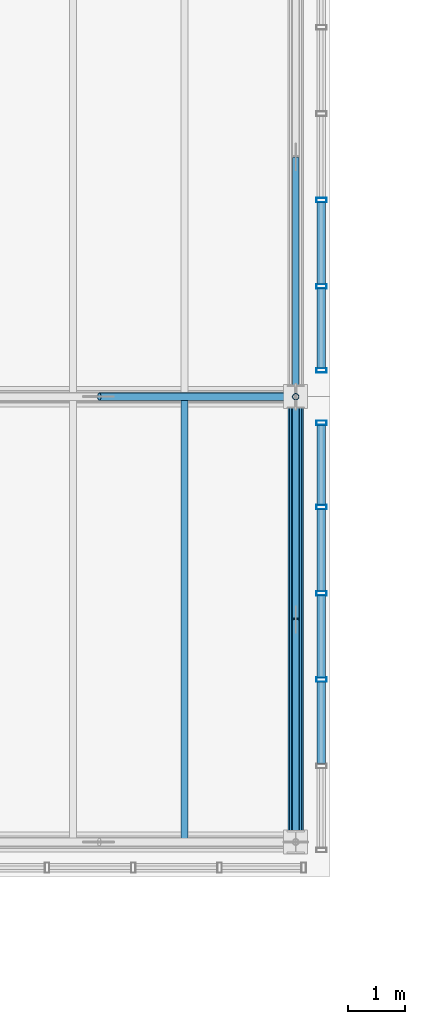
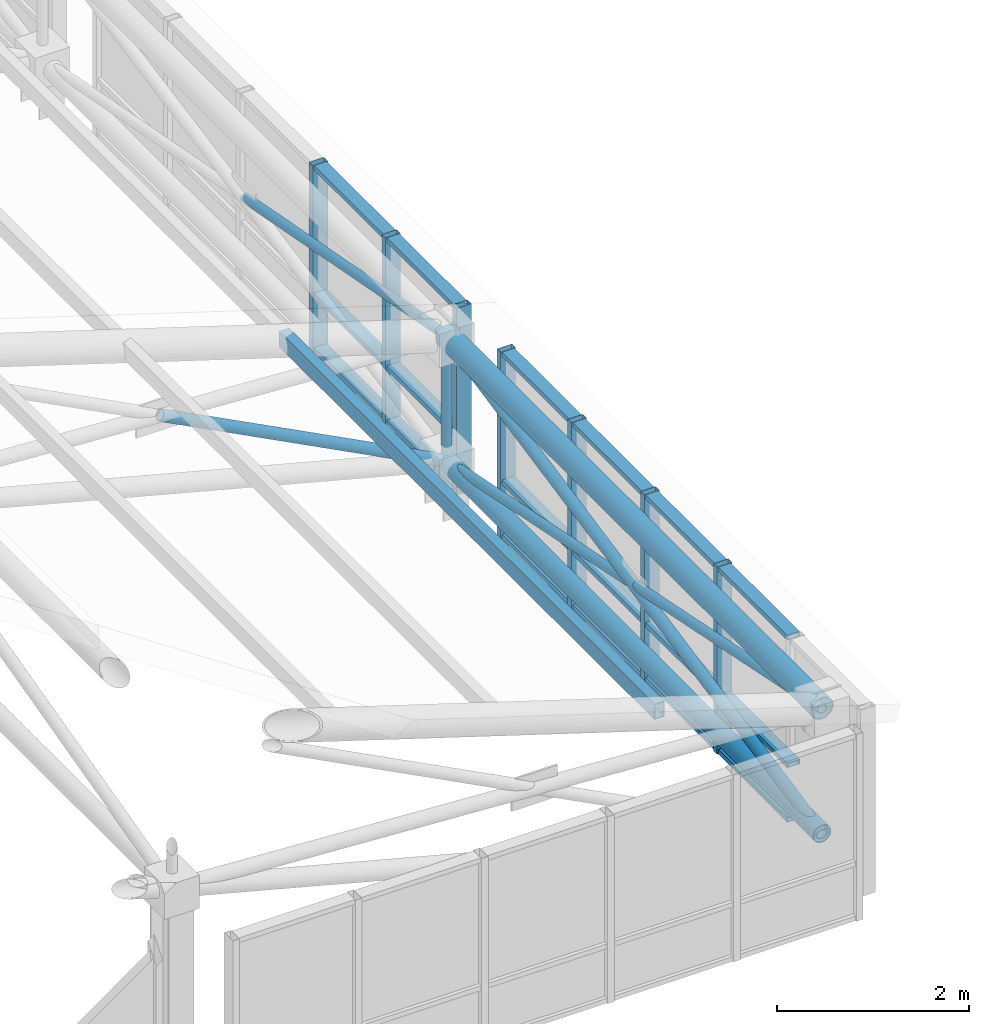
# One storey, part 87 of 144: 34 members, 2 elements without a shape of their own.
"""IFC4 building model written with IfcOpenShell, lengths in metres."""

from ifc_helpers import new_model, si_unit, direction, frame, origin, origin_2d, place, context, subcontext, project, spatial, hollow_rectangle, hollow_circle, extrude, material, layer, layer_set, material_profile, profile_set, type_object, element, aggregate, save


model = new_model("IFC4")

# Units and contexts
model_context = context("Model", 3, precision=1e-05, world=origin(), true_north=direction((0.0, 1.0)))
body_context = subcontext(model_context, "Body", "Model", "MODEL_VIEW")
ifc_project = project(units=[si_unit("LENGTHUNIT", "METRE"), si_unit("AREAUNIT", "SQUARE_METRE"), si_unit("VOLUMEUNIT", "CUBIC_METRE"), si_unit("PLANEANGLEUNIT", "RADIAN"), si_unit("MASSUNIT", "GRAM", prefix="KILO")], contexts=[model_context])

# Site, building, storey
site_placement = place(None, origin())
site = spatial("IfcSite", under=ifc_project, at=site_placement, CompositionType="ELEMENT")
building_placement = place(site_placement, origin())
building = spatial("IfcBuilding", under=site, at=building_placement, Name="Zayran Congress Hotel", CompositionType="ELEMENT")
storey_placement = place(building_placement, frame((0.0, 0.0, 19.199951171875)))
storey = spatial("IfcBuildingStorey", under=building, at=storey_placement, Name="L04", CompositionType="ELEMENT", Elevation=19.199951171875)

# Members
ifc_material_1 = material(Name="Steel S355", Category="steel")
ifc_material_profile_1 = material_profile(ifc_material_1, hollow_circle(Radius=0.136474609375, WallThickness=0.012451171875, at=origin_2d()), Name="CHS 273x12.5")
ifc_profile_set_1 = profile_set([ifc_material_profile_1], Name="Steel S355")
member_type_1 = type_object("IfcMemberType", Name="TP-SF-TC2", PredefinedType="CHORD", material=ifc_profile_set_1)
member_1_placement = place(storey_placement, frame((91.800048828125, 68.199951171875, 2.19140625), z_axis=(0.0, 1.0, 0.0), x_axis=(-1.0, 0.0, 0.0)))
element("IfcMember", 1, at=member_1_placement, inside=storey, type_object=member_type_1, Name="Space Frame Top Chord Y 543", PredefinedType="CHORD", context=body_context, shape_type="SweptSolid", body=[
    extrude(hollow_circle(Radius=0.136474609375, WallThickness=0.012451171875, at=origin_2d()), origin(), (0.0, 0.0, 1.0), 7.800048828125),
])
ifc_material_profile_2 = material_profile(ifc_material_1, hollow_circle(Radius=0.109619140625, WallThickness=0.010009765625, at=origin_2d()), Name="CHS 219.1x10")
ifc_profile_set_2 = profile_set([ifc_material_profile_2], Name="Steel S355")
member_type_2 = type_object("IfcMemberType", Name="TP-SF-BC1", PredefinedType="CHORD", material=ifc_profile_set_2)
member_2_placement = place(storey_placement, frame((91.800048828125, 68.199951171875, 0.60009765625), z_axis=(0.0, 1.0, 0.0), x_axis=(-1.0, 0.0, 0.0)))
element("IfcMember", 2, at=member_2_placement, inside=storey, type_object=member_type_2, Name="Space Frame Bottom Chord Y 544", PredefinedType="CHORD", context=body_context, shape_type="SweptSolid", body=[
    extrude(hollow_circle(Radius=0.109619140625, WallThickness=0.010009765625, at=origin_2d()), origin(), (0.0, 0.0, 1.0), 7.800048828125),
])
ifc_material_profile_3 = material_profile(ifc_material_1, hollow_circle(Radius=0.06982421875, WallThickness=0.00634765625, at=origin_2d()), Name="CHS 139.7x6.3")
ifc_profile_set_3 = profile_set([ifc_material_profile_3], Name="Steel S355")
member_type_3 = type_object("IfcMemberType", Name="TP-SF-DG2", PredefinedType="BRACE", material=ifc_profile_set_3)
member_3_placement = place(storey_placement, frame((88.359130859375, 76.0, 2.387451171875), z_axis=(0.887419803116, 0.0, -0.4609621384), x_axis=(0.0, 1.0, 0.0)))
element("IfcMember", 3, at=member_3_placement, inside=storey, type_object=member_type_3, Name="Space Frame Counter Diagonal X Lower 77", PredefinedType="BRACE", context=body_context, shape_type="SweptSolid", body=[
    extrude(hollow_circle(Radius=0.06982421875, WallThickness=0.00634765625, at=origin_2d()), origin(), (0.0, 0.0, 1.0), 3.87744140625),
])
member_4_placement = place(storey_placement, frame((91.800048828125, 68.199951171875, 0.60009765625), z_axis=(0.0, 0.979817299983, 0.199895119136), x_axis=(-1.0, 0.0, 0.0)))
element("IfcMember", 4, at=member_4_placement, inside=storey, type_object=member_type_3, Name="Space Frame Web Diagonal Y 545", PredefinedType="BRACE", context=body_context, shape_type="SweptSolid", body=[
    extrude(hollow_circle(Radius=0.06982421875, WallThickness=0.00634765625, at=origin_2d()), origin(), (0.0, 0.0, 1.0), 7.960693359375),
])
ifc_material_profile_4 = material_profile(ifc_material_1, hollow_circle(Radius=0.05712890625, WallThickness=0.00634765625, at=origin_2d()), Name="CHS 114.3x6.3")
ifc_profile_set_4 = profile_set([ifc_material_profile_4], Name="Steel S355")
member_type_4 = type_object("IfcMemberType", Name="TP-SF-DG3", PredefinedType="BRACE", material=ifc_profile_set_4)
for number, where, z_axis, x_axis, name in (
    (5, (91.800048828125, 68.199951171875, 2.19140625), (0.0, 0.979813166371, -0.199915379616), (-1.0, 0.0, 0.0), "Space Frame Bracing Diagonal Y Upper 546"),
    (6, (91.800048828125, 72.11474609375, 1.392822265625), (0.0, 0.979813166371, -0.199915379616), (-1.0, 0.0, 0.0), "Space Frame Bracing Diagonal Y Lower 83"),
):
    element("IfcMember", number, at=place(storey_placement, frame(where, z_axis=z_axis, x_axis=x_axis)), inside=storey, type_object=member_type_4, Name=name, PredefinedType="BRACE", context=body_context, shape_type="SweptSolid", body=[
        extrude(hollow_circle(Radius=0.05712890625, WallThickness=0.00634765625, at=origin_2d()), origin(), (0.0, 0.0, 1.0), 3.96533203125),
    ])
member_5_placement = place(storey_placement, frame((91.800048828125, 76.0, 2.19140625), z_axis=(0.0, 0.982520698357, -0.186153370371), x_axis=(-1.0, 0.0, 0.0)))
element("IfcMember", 7, at=member_5_placement, inside=storey, type_object=member_type_4, Name="Space Frame Bracing Diagonal Y Upper 551", PredefinedType="BRACE", context=body_context, shape_type="SweptSolid", body=[
    extrude(hollow_circle(Radius=0.05712890625, WallThickness=0.00634765625, at=origin_2d()), origin(), (0.0, 0.0, 1.0), 4.259765625),
])
member_6_placement = place(storey_placement, frame((91.800048828125, 76.0, 0.60009765625), z_axis=(0.0, 0.0, 1.0), x_axis=(0.0, 1.0, 0.0)))
element("IfcMember", 8, at=member_6_placement, inside=storey, type_object=member_type_4, Name="Space Frame Web Strut 552", PredefinedType="BRACE", context=body_context, shape_type="SweptSolid", body=[
    extrude(hollow_circle(Radius=0.05712890625, WallThickness=0.00634765625, at=origin_2d()), origin(), (0.0, 0.0, 1.0), 1.59130859375),
])
ifc_material_profile_5 = material_profile(ifc_material_1, hollow_rectangle(XDim=0.1201171875, YDim=0.199951171875, WallThickness=0.008056640625, at=origin_2d()), Name="RHS 200x120x8")
ifc_profile_set_5 = profile_set([ifc_material_profile_5], Name="Steel S355")
member_type_5 = type_object("IfcMemberType", Name="TP-PR-01", PredefinedType="PURLIN", material=ifc_profile_set_5)
member_7_placement = place(storey_placement, frame((89.85009765625, 68.199951171875, 2.8486328125), z_axis=(0.0, 1.0, 0.0), x_axis=(-1.0, 0.0, 0.0)))
element("IfcMember", 9, at=member_7_placement, inside=storey, type_object=member_type_5, Name="MEM-PR-V1-0175", PredefinedType="PURLIN", context=body_context, shape_type="SweptSolid", body=[
    extrude(hollow_rectangle(XDim=0.1201171875, YDim=0.199951171875, WallThickness=0.008056640625, at=origin_2d()), origin(), (0.0, 0.0, 1.0), 7.800048828125),
])

# Curtain wall, members
ifc_material_2 = material(Name="Anodised aluminium and low-E insulated glass", Category="aluminium")
ifc_layer = layer(ifc_material_2, 0.179931640625)
ifc_layer_set = layer_set([ifc_layer], Name="Anodised aluminium and low-E insulated glass")
curtain_wall_type = type_object("IfcCurtainWallType", Name="CW-V1CL-L04-CW-41-7560-2370", PredefinedType="USERDEFINED", material=ifc_layer_set)
curtain_wall_1_placement = place(storey_placement, origin())
curtain_wall_1 = element("IfcCurtainWall", 10, at=curtain_wall_1_placement, inside=storey, type_object=curtain_wall_type, Name="CW-V1CLE-0", ObjectType="CURTAIN WALL", PredefinedType="USERDEFINED")
ifc_material_3 = material(Name="Anodised aluminium framing", Category="aluminium")
ifc_material_profile_6 = material_profile(ifc_material_3, hollow_rectangle(XDim=0.080078125, YDim=0.179931640625, WallThickness=0.0048828125, at=origin_2d()), Name="RHS 180x80x5")
ifc_profile_set_6 = profile_set([ifc_material_profile_6], Name="Anodised aluminium framing")
member_type_6 = type_object("IfcMemberType", Name="TP-CWM-01", PredefinedType="MULLION", material=ifc_profile_set_6)
member_8_placement = place(storey_placement, frame((92.25, 71.0439453125, -0.219970703125), z_axis=(0.0, 0.0, 1.0), x_axis=(0.0, 1.0, 0.0)))
member_8 = element("IfcMember", 11, at=member_8_placement, type_object=member_type_6, Name="CW-V1CLE-0-M02", PredefinedType="MULLION", context=body_context, shape_type="SweptSolid", body=[
    extrude(hollow_rectangle(XDim=0.080078125, YDim=0.179931640625, WallThickness=0.0048828125, at=origin_2d()), origin(), (0.0, 0.0, 1.0), 2.3701171875),
])
member_9_placement = place(storey_placement, frame((92.25, 72.555908203125, -0.219970703125), z_axis=(0.0, 0.0, 1.0), x_axis=(0.0, 1.0, 0.0)))
member_9 = element("IfcMember", 12, at=member_9_placement, type_object=member_type_6, Name="CW-V1CLE-0-M03", PredefinedType="MULLION", context=body_context, shape_type="SweptSolid", body=[
    extrude(hollow_rectangle(XDim=0.080078125, YDim=0.179931640625, WallThickness=0.0048828125, at=origin_2d()), origin(), (0.0, 0.0, 1.0), 2.3701171875),
])
member_10_placement = place(storey_placement, frame((92.25, 74.068115234375, -0.219970703125), z_axis=(0.0, 0.0, 1.0), x_axis=(0.0, 1.0, 0.0)))
member_10 = element("IfcMember", 13, at=member_10_placement, type_object=member_type_6, Name="CW-V1CLE-0-M04", PredefinedType="MULLION", context=body_context, shape_type="SweptSolid", body=[
    extrude(hollow_rectangle(XDim=0.080078125, YDim=0.179931640625, WallThickness=0.0048828125, at=origin_2d()), origin(), (0.0, 0.0, 1.0), 2.3701171875),
])
member_11_placement = place(storey_placement, frame((92.25, 75.5400390625, -0.219970703125), z_axis=(0.0, 0.0, 1.0), x_axis=(0.0, 1.0, 0.0)))
member_11 = element("IfcMember", 14, at=member_11_placement, type_object=member_type_6, Name="CW-V1CLE-0-M05", PredefinedType="MULLION", context=body_context, shape_type="SweptSolid", body=[
    extrude(hollow_rectangle(XDim=0.080078125, YDim=0.179931640625, WallThickness=0.0048828125, at=origin_2d()), origin(), (0.0, 0.0, 1.0), 2.3701171875),
])

curtain_wall_2_placement = place(storey_placement, origin())
curtain_wall_2 = element("IfcCurtainWall", 15, at=curtain_wall_2_placement, inside=storey, type_object=curtain_wall_type, Name="CW-V1CLE-1", ObjectType="CURTAIN WALL", PredefinedType="USERDEFINED")
member_12_placement = place(storey_placement, frame((92.25, 76.4599609375, -0.219970703125), z_axis=(0.0, 0.0, 1.0), x_axis=(0.0, 1.0, 0.0)))
member_12 = element("IfcMember", 16, at=member_12_placement, type_object=member_type_6, Name="CW-V1CLE-1-M00", PredefinedType="MULLION", context=body_context, shape_type="SweptSolid", body=[
    extrude(hollow_rectangle(XDim=0.080078125, YDim=0.179931640625, WallThickness=0.0048828125, at=origin_2d()), origin(), (0.0, 0.0, 1.0), 2.3701171875),
])
member_13_placement = place(storey_placement, frame((92.25, 77.931884765625, -0.219970703125), z_axis=(0.0, 0.0, 1.0), x_axis=(0.0, 1.0, 0.0)))
member_13 = element("IfcMember", 17, at=member_13_placement, type_object=member_type_6, Name="CW-V1CLE-1-M01", PredefinedType="MULLION", context=body_context, shape_type="SweptSolid", body=[
    extrude(hollow_rectangle(XDim=0.080078125, YDim=0.179931640625, WallThickness=0.0048828125, at=origin_2d()), origin(), (0.0, 0.0, 1.0), 2.3701171875),
])
member_14_placement = place(storey_placement, frame((92.25, 79.444091796875, -0.219970703125), z_axis=(0.0, 0.0, 1.0), x_axis=(0.0, 1.0, 0.0)))
member_14 = element("IfcMember", 18, at=member_14_placement, type_object=member_type_6, Name="CW-V1CLE-1-M02", PredefinedType="MULLION", context=body_context, shape_type="SweptSolid", body=[
    extrude(hollow_rectangle(XDim=0.080078125, YDim=0.179931640625, WallThickness=0.0048828125, at=origin_2d()), origin(), (0.0, 0.0, 1.0), 2.3701171875),
])

# Member
ifc_material_profile_7 = material_profile(ifc_material_3, hollow_rectangle(XDim=0.06005859375, YDim=0.14990234375, WallThickness=0.00390625, at=origin_2d()), Name="RHS 150x60x4")
ifc_profile_set_7 = profile_set([ifc_material_profile_7], Name="Anodised aluminium framing")
member_type_7 = type_object("IfcMemberType", Name="TP-CWT-01", PredefinedType="USERDEFINED", material=ifc_profile_set_7)
member_15_placement = place(storey_placement, frame((92.25, 69.572021484375, -0.18994140625), z_axis=(0.0, 1.0, 0.0), x_axis=(0.0, 0.0, 1.0)))
member_15 = element("IfcMember", 19, at=member_15_placement, type_object=member_type_7, Name="CW-V1CLE-0-T01-0", ObjectType="TRANSOM", PredefinedType="USERDEFINED", context=body_context, shape_type="SweptSolid", body=[
    extrude(hollow_rectangle(XDim=0.06005859375, YDim=0.14990234375, WallThickness=0.00390625, at=origin_2d()), origin(), (0.0, 0.0, 1.0), 1.431884765625),
])

member_16_placement = place(storey_placement, frame((92.25, 69.572021484375, 0.5), z_axis=(0.0, 1.0, 0.0), x_axis=(0.0, 0.0, 1.0)))
member_16 = element("IfcMember", 20, at=member_16_placement, type_object=member_type_7, Name="CW-V1CLE-0-T01-1", ObjectType="TRANSOM", PredefinedType="USERDEFINED", context=body_context, shape_type="SweptSolid", body=[
    extrude(hollow_rectangle(XDim=0.06005859375, YDim=0.14990234375, WallThickness=0.00390625, at=origin_2d()), origin(), (0.0, 0.0, 1.0), 1.431884765625),
])

member_17_placement = place(storey_placement, frame((92.25, 69.572021484375, 2.1201171875), z_axis=(0.0, 1.0, 0.0), x_axis=(0.0, 0.0, 1.0)))
member_17 = element("IfcMember", 21, at=member_17_placement, type_object=member_type_7, Name="CW-V1CLE-0-T01-2", ObjectType="TRANSOM", PredefinedType="USERDEFINED", context=body_context, shape_type="SweptSolid", body=[
    extrude(hollow_rectangle(XDim=0.06005859375, YDim=0.14990234375, WallThickness=0.00390625, at=origin_2d()), origin(), (0.0, 0.0, 1.0), 1.431884765625),
])

member_18_placement = place(storey_placement, frame((92.25, 71.083984375, -0.18994140625), z_axis=(0.0, 1.0, 0.0), x_axis=(0.0, 0.0, 1.0)))
member_18 = element("IfcMember", 22, at=member_18_placement, type_object=member_type_7, Name="CW-V1CLE-0-T02-0", ObjectType="TRANSOM", PredefinedType="USERDEFINED", context=body_context, shape_type="SweptSolid", body=[
    extrude(hollow_rectangle(XDim=0.06005859375, YDim=0.14990234375, WallThickness=0.00390625, at=origin_2d()), origin(), (0.0, 0.0, 1.0), 1.43212890625),
])

member_19_placement = place(storey_placement, frame((92.25, 71.083984375, 0.5), z_axis=(0.0, 1.0, 0.0), x_axis=(0.0, 0.0, 1.0)))
member_19 = element("IfcMember", 23, at=member_19_placement, type_object=member_type_7, Name="CW-V1CLE-0-T02-1", ObjectType="TRANSOM", PredefinedType="USERDEFINED", context=body_context, shape_type="SweptSolid", body=[
    extrude(hollow_rectangle(XDim=0.06005859375, YDim=0.14990234375, WallThickness=0.00390625, at=origin_2d()), origin(), (0.0, 0.0, 1.0), 1.43212890625),
])

member_20_placement = place(storey_placement, frame((92.25, 71.083984375, 2.1201171875), z_axis=(0.0, 1.0, 0.0), x_axis=(0.0, 0.0, 1.0)))
member_20 = element("IfcMember", 24, at=member_20_placement, type_object=member_type_7, Name="CW-V1CLE-0-T02-2", ObjectType="TRANSOM", PredefinedType="USERDEFINED", context=body_context, shape_type="SweptSolid", body=[
    extrude(hollow_rectangle(XDim=0.06005859375, YDim=0.14990234375, WallThickness=0.00390625, at=origin_2d()), origin(), (0.0, 0.0, 1.0), 1.43212890625),
])

member_21_placement = place(storey_placement, frame((92.25, 72.595947265625, -0.18994140625), z_axis=(0.0, 1.0, 0.0), x_axis=(0.0, 0.0, 1.0)))
member_21 = element("IfcMember", 25, at=member_21_placement, type_object=member_type_7, Name="CW-V1CLE-0-T03-0", ObjectType="TRANSOM", PredefinedType="USERDEFINED", context=body_context, shape_type="SweptSolid", body=[
    extrude(hollow_rectangle(XDim=0.06005859375, YDim=0.14990234375, WallThickness=0.00390625, at=origin_2d()), origin(), (0.0, 0.0, 1.0), 1.43212890625),
])

member_22_placement = place(storey_placement, frame((92.25, 72.595947265625, 0.5), z_axis=(0.0, 1.0, 0.0), x_axis=(0.0, 0.0, 1.0)))
member_22 = element("IfcMember", 26, at=member_22_placement, type_object=member_type_7, Name="CW-V1CLE-0-T03-1", ObjectType="TRANSOM", PredefinedType="USERDEFINED", context=body_context, shape_type="SweptSolid", body=[
    extrude(hollow_rectangle(XDim=0.06005859375, YDim=0.14990234375, WallThickness=0.00390625, at=origin_2d()), origin(), (0.0, 0.0, 1.0), 1.43212890625),
])

member_23_placement = place(storey_placement, frame((92.25, 72.595947265625, 2.1201171875), z_axis=(0.0, 1.0, 0.0), x_axis=(0.0, 0.0, 1.0)))
member_23 = element("IfcMember", 27, at=member_23_placement, type_object=member_type_7, Name="CW-V1CLE-0-T03-2", ObjectType="TRANSOM", PredefinedType="USERDEFINED", context=body_context, shape_type="SweptSolid", body=[
    extrude(hollow_rectangle(XDim=0.06005859375, YDim=0.14990234375, WallThickness=0.00390625, at=origin_2d()), origin(), (0.0, 0.0, 1.0), 1.43212890625),
])

member_24_placement = place(storey_placement, frame((92.25, 74.10791015625, -0.18994140625), z_axis=(0.0, 1.0, 0.0), x_axis=(0.0, 0.0, 1.0)))
member_24 = element("IfcMember", 28, at=member_24_placement, type_object=member_type_7, Name="CW-V1CLE-0-T04-0", ObjectType="TRANSOM", PredefinedType="USERDEFINED", context=body_context, shape_type="SweptSolid", body=[
    extrude(hollow_rectangle(XDim=0.06005859375, YDim=0.14990234375, WallThickness=0.00390625, at=origin_2d()), origin(), (0.0, 0.0, 1.0), 1.39208984375),
])

member_25_placement = place(storey_placement, frame((92.25, 74.10791015625, 0.5), z_axis=(0.0, 1.0, 0.0), x_axis=(0.0, 0.0, 1.0)))
member_25 = element("IfcMember", 29, at=member_25_placement, type_object=member_type_7, Name="CW-V1CLE-0-T04-1", ObjectType="TRANSOM", PredefinedType="USERDEFINED", context=body_context, shape_type="SweptSolid", body=[
    extrude(hollow_rectangle(XDim=0.06005859375, YDim=0.14990234375, WallThickness=0.00390625, at=origin_2d()), origin(), (0.0, 0.0, 1.0), 1.39208984375),
])

member_26_placement = place(storey_placement, frame((92.25, 74.10791015625, 2.1201171875), z_axis=(0.0, 1.0, 0.0), x_axis=(0.0, 0.0, 1.0)))
member_26 = element("IfcMember", 30, at=member_26_placement, type_object=member_type_7, Name="CW-V1CLE-0-T04-2", ObjectType="TRANSOM", PredefinedType="USERDEFINED", context=body_context, shape_type="SweptSolid", body=[
    extrude(hollow_rectangle(XDim=0.06005859375, YDim=0.14990234375, WallThickness=0.00390625, at=origin_2d()), origin(), (0.0, 0.0, 1.0), 1.39208984375),
])

aggregate(curtain_wall_1, [member_8, member_9, member_10, member_11, member_15, member_16, member_17, member_18, member_19, member_20, member_21, member_22, member_23, member_24, member_25, member_26])

member_27_placement = place(storey_placement, frame((92.25, 76.5, -0.18994140625), z_axis=(0.0, 1.0, 0.0), x_axis=(0.0, 0.0, 1.0)))
member_27 = element("IfcMember", 31, at=member_27_placement, type_object=member_type_7, Name="CW-V1CLE-1-T00-0", ObjectType="TRANSOM", PredefinedType="USERDEFINED", context=body_context, shape_type="SweptSolid", body=[
    extrude(hollow_rectangle(XDim=0.06005859375, YDim=0.14990234375, WallThickness=0.00390625, at=origin_2d()), origin(), (0.0, 0.0, 1.0), 1.39208984375),
])

member_28_placement = place(storey_placement, frame((92.25, 76.5, 0.5), z_axis=(0.0, 1.0, 0.0), x_axis=(0.0, 0.0, 1.0)))
member_28 = element("IfcMember", 32, at=member_28_placement, type_object=member_type_7, Name="CW-V1CLE-1-T00-1", ObjectType="TRANSOM", PredefinedType="USERDEFINED", context=body_context, shape_type="SweptSolid", body=[
    extrude(hollow_rectangle(XDim=0.06005859375, YDim=0.14990234375, WallThickness=0.00390625, at=origin_2d()), origin(), (0.0, 0.0, 1.0), 1.39208984375),
])

member_29_placement = place(storey_placement, frame((92.25, 76.5, 2.1201171875), z_axis=(0.0, 1.0, 0.0), x_axis=(0.0, 0.0, 1.0)))
member_29 = element("IfcMember", 33, at=member_29_placement, type_object=member_type_7, Name="CW-V1CLE-1-T00-2", ObjectType="TRANSOM", PredefinedType="USERDEFINED", context=body_context, shape_type="SweptSolid", body=[
    extrude(hollow_rectangle(XDim=0.06005859375, YDim=0.14990234375, WallThickness=0.00390625, at=origin_2d()), origin(), (0.0, 0.0, 1.0), 1.39208984375),
])

member_30_placement = place(storey_placement, frame((92.25, 77.971923828125, -0.18994140625), z_axis=(0.0, 1.0, 0.0), x_axis=(0.0, 0.0, 1.0)))
member_30 = element("IfcMember", 34, at=member_30_placement, type_object=member_type_7, Name="CW-V1CLE-1-T01-0", ObjectType="TRANSOM", PredefinedType="USERDEFINED", context=body_context, shape_type="SweptSolid", body=[
    extrude(hollow_rectangle(XDim=0.06005859375, YDim=0.14990234375, WallThickness=0.00390625, at=origin_2d()), origin(), (0.0, 0.0, 1.0), 1.43212890625),
])

member_31_placement = place(storey_placement, frame((92.25, 77.971923828125, 0.5), z_axis=(0.0, 1.0, 0.0), x_axis=(0.0, 0.0, 1.0)))
member_31 = element("IfcMember", 35, at=member_31_placement, type_object=member_type_7, Name="CW-V1CLE-1-T01-1", ObjectType="TRANSOM", PredefinedType="USERDEFINED", context=body_context, shape_type="SweptSolid", body=[
    extrude(hollow_rectangle(XDim=0.06005859375, YDim=0.14990234375, WallThickness=0.00390625, at=origin_2d()), origin(), (0.0, 0.0, 1.0), 1.43212890625),
])

member_32_placement = place(storey_placement, frame((92.25, 77.971923828125, 2.1201171875), z_axis=(0.0, 1.0, 0.0), x_axis=(0.0, 0.0, 1.0)))
member_32 = element("IfcMember", 36, at=member_32_placement, type_object=member_type_7, Name="CW-V1CLE-1-T01-2", ObjectType="TRANSOM", PredefinedType="USERDEFINED", context=body_context, shape_type="SweptSolid", body=[
    extrude(hollow_rectangle(XDim=0.06005859375, YDim=0.14990234375, WallThickness=0.00390625, at=origin_2d()), origin(), (0.0, 0.0, 1.0), 1.43212890625),
])

aggregate(curtain_wall_2, [member_12, member_13, member_14, member_27, member_28, member_29, member_30, member_31, member_32])

save(model, "model.ifc")
